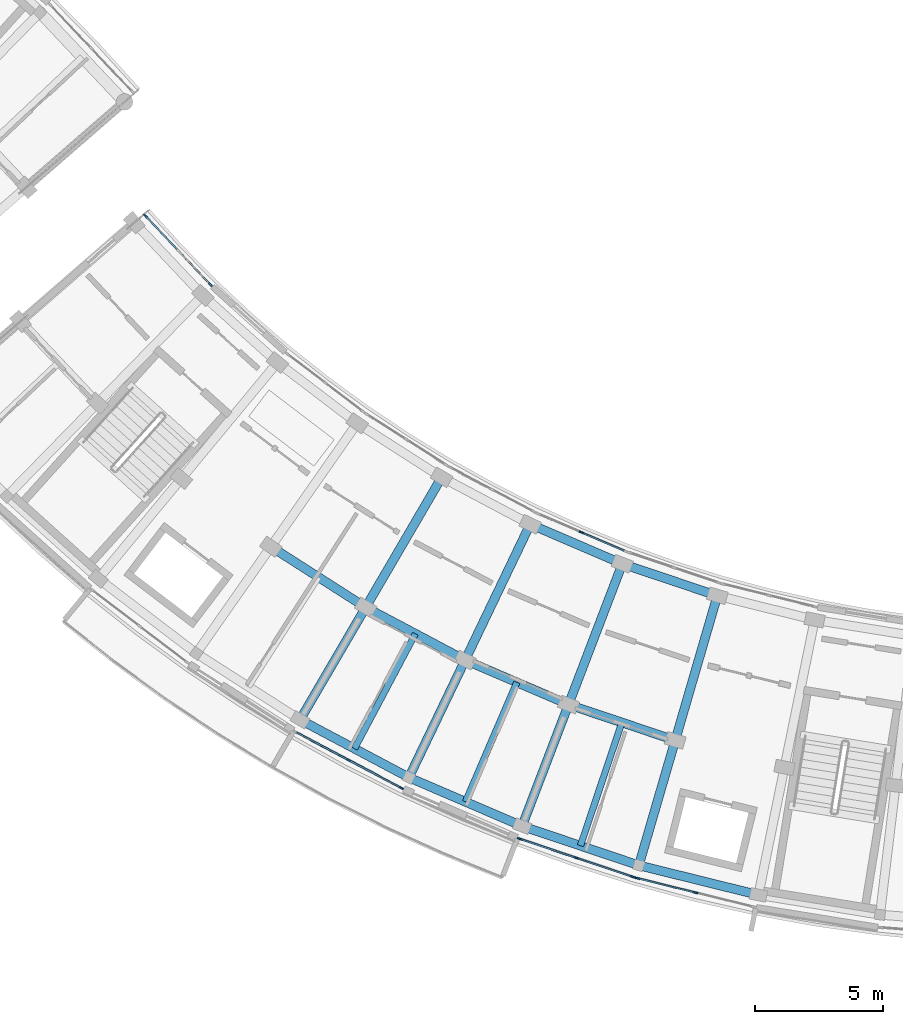
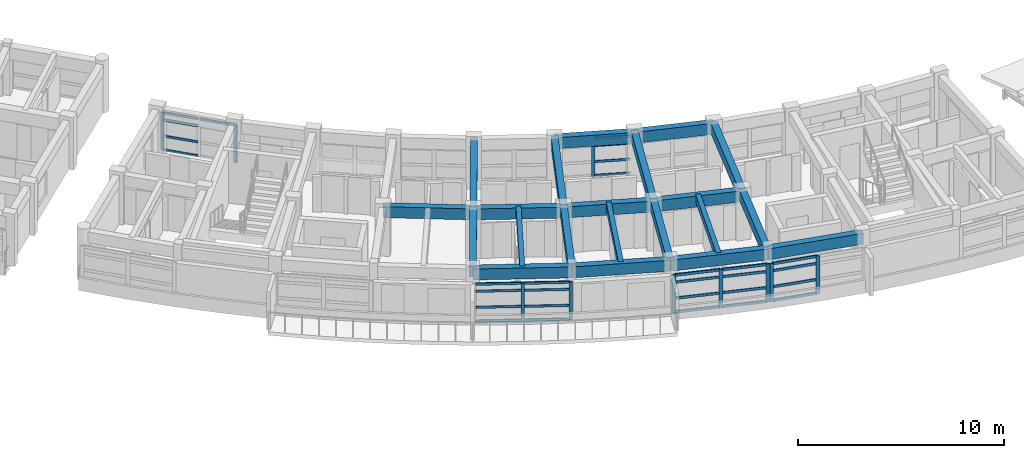
# One storey, part 16 of 50: 39 members, 21 beams, 5 elements without a shape of their own.
"""IFC4 building model written with IfcOpenShell, lengths in metres."""

from ifc_helpers import new_model, si_unit, direction, frame, origin, origin_2d, place, context, subcontext, project, spatial, rectangle, extrude, material, material_profile, profile_set, type_object, element, aggregate, save


model = new_model("IFC4")

# Units and contexts
model_context = context("Model", 3, precision=1e-05, world=origin(), true_north=direction((0.0, 1.0)))
body_context = subcontext(model_context, "Body", "Model", "MODEL_VIEW")
ifc_project = project(units=[si_unit("LENGTHUNIT", "METRE"), si_unit("AREAUNIT", "SQUARE_METRE"), si_unit("VOLUMEUNIT", "CUBIC_METRE"), si_unit("PLANEANGLEUNIT", "RADIAN"), si_unit("MASSUNIT", "GRAM", prefix="KILO")], contexts=[model_context])

# Site, building, storey
site_placement = place(None, origin())
site = spatial("IfcSite", under=ifc_project, at=site_placement, CompositionType="ELEMENT")
building_placement = place(site_placement, origin())
building = spatial("IfcBuilding", under=site, at=building_placement, Name="Zimvara Arc Housing Community", CompositionType="ELEMENT")
storey_placement = place(building_placement, frame((0.0, 0.0, 26.699951171875)))
storey = spatial("IfcBuildingStorey", under=building, at=storey_placement, Name="L08", CompositionType="ELEMENT", Elevation=26.699951171875)

# Beams
ifc_material_1 = material(Name="Concrete C40/50", Category="concrete")
ifc_material_profile_1 = material_profile(ifc_material_1, rectangle(XDim=0.25, YDim=0.449951171875, at=origin_2d()), Name="RC 250x450")
ifc_profile_set_1 = profile_set([ifc_material_profile_1], Name="Concrete C40/50")
beam_type_1 = type_object("IfcBeamType", Name="BM-RC-250x450", PredefinedType="JOIST", material=ifc_profile_set_1)
for number, where, z_axis, x_axis, name in (
    (1, (100.793212890625, 62.37060546875, 2.655029296875), (-0.46853732736, -0.883443701019, 0.0), (0.883443701019, -0.46853732736, 0.0), "bm:blkC:L08:joist:b4"),
    (2, (104.751953125, 60.473876953125, 2.655029296875), (-0.394946561353, -0.918704094731, 0.0), (0.918704094731, -0.394946561353, 0.0), "bm:blkC:L08:joist:b5"),
    (3, (108.85205078125, 58.906494140625, 2.655029296875), (-0.318622196545, -0.947881794249, 0.0), (0.947881794249, -0.318622196545, 0.0), "bm:blkC:L08:joist:b6"),
):
    element("IfcBeam", number, at=place(storey_placement, frame(where, z_axis=z_axis, x_axis=x_axis)), inside=storey, type_object=beam_type_1, Name=name, PredefinedType="JOIST", context=body_context, shape_type="SweptSolid", body=[
        extrude(rectangle(XDim=0.25, YDim=0.449951171875, at=origin_2d()), origin(), (0.0, 0.0, 1.0), 5.07568359375),
    ])
ifc_material_2 = material(Name="Concrete C40/50", Category="concrete")
ifc_material_profile_2 = material_profile(ifc_material_2, rectangle(XDim=0.35009765625, YDim=0.60009765625, at=origin_2d()), Name="RC 350x600")
ifc_profile_set_2 = profile_set([ifc_material_profile_2], Name="Concrete C40/50")
beam_type_2 = type_object("IfcBeamType", Name="BM-RC-350x600", PredefinedType="BEAM", material=ifc_profile_set_2)
beam_1_placement = place(storey_placement, frame((101.8173828125, 68.4775390625, 2.580078125), z_axis=(-0.504237574462, -0.863564976421, 0.0), x_axis=(0.863564976421, -0.504237574462, 0.0)))
element("IfcBeam", 4, at=beam_1_placement, inside=storey, type_object=beam_type_2, Name="bm:blkC:L08:rad:b4:r12", PredefinedType="BEAM", context=body_context, shape_type="SweptSolid", body=[
    extrude(rectangle(XDim=0.35009765625, YDim=0.60009765625, at=origin_2d()), origin(), (0.0, 0.0, 1.0), 5.8798828125),
])
beam_2_placement = place(storey_placement, frame((98.8525390625, 63.39990234375, 2.580078125), z_axis=(-0.504196701544, -0.863588840915, 0.0), x_axis=(0.863588840915, -0.504196701544, 0.0)))
element("IfcBeam", 5, at=beam_2_placement, inside=storey, type_object=beam_type_2, Name="bm:blkC:L08:rad:b4:r23", PredefinedType="BEAM", context=body_context, shape_type="SweptSolid", body=[
    extrude(rectangle(XDim=0.35009765625, YDim=0.60009765625, at=origin_2d()), origin(), (0.0, 0.0, 1.0), 5.079833984375),
])
beam_3_placement = place(storey_placement, frame((105.2744140625, 66.644287109375, 2.580078125), z_axis=(-0.432053349188, -0.901848048983, 0.0), x_axis=(0.901848048983, -0.432053349188, 0.0)))
element("IfcBeam", 6, at=beam_3_placement, inside=storey, type_object=beam_type_2, Name="bm:blkC:L08:rad:b5:r12", PredefinedType="BEAM", context=body_context, shape_type="SweptSolid", body=[
    extrude(rectangle(XDim=0.35009765625, YDim=0.60009765625, at=origin_2d()), origin(), (0.0, 0.0, 1.0), 5.880126953125),
])
beam_4_placement = place(storey_placement, frame((102.73388671875, 61.34130859375, 2.580078125), z_axis=(-0.432098194978, -0.901826563091, 0.0), x_axis=(0.901826563091, -0.432098194978, 0.0)))
element("IfcBeam", 7, at=beam_4_placement, inside=storey, type_object=beam_type_2, Name="bm:blkC:L08:rad:b5:r23", PredefinedType="BEAM", context=body_context, shape_type="SweptSolid", body=[
    extrude(rectangle(XDim=0.35009765625, YDim=0.60009765625, at=origin_2d()), origin(), (0.0, 0.0, 1.0), 5.080078125),
])
beam_5_placement = place(storey_placement, frame((108.869384765625, 65.098876953125, 2.580078125), z_axis=(-0.357036247742, -0.934090529766, 0.0), x_axis=(0.934090529766, -0.357036247742, 0.0)))
element("IfcBeam", 8, at=beam_5_placement, inside=storey, type_object=beam_type_2, Name="bm:blkC:L08:rad:b6:r12", PredefinedType="BEAM", context=body_context, shape_type="SweptSolid", body=[
    extrude(rectangle(XDim=0.35009765625, YDim=0.60009765625, at=origin_2d()), origin(), (0.0, 0.0, 1.0), 5.8798828125),
])
beam_6_placement = place(storey_placement, frame((106.77001953125, 59.6064453125, 2.580078125), z_axis=(-0.357078271386, -0.934074466038, 0.0), x_axis=(0.934074466038, -0.357078271386, 0.0)))
element("IfcBeam", 9, at=beam_6_placement, inside=storey, type_object=beam_type_2, Name="bm:blkC:L08:rad:b6:r23", PredefinedType="BEAM", context=body_context, shape_type="SweptSolid", body=[
    extrude(rectangle(XDim=0.35009765625, YDim=0.60009765625, at=origin_2d()), origin(), (0.0, 0.0, 1.0), 5.080078125),
])
beam_7_placement = place(storey_placement, frame((112.57861328125, 63.85205078125, 2.580078125), z_axis=(-0.27964761269, -0.960102709462, 0.0), x_axis=(0.960102709462, -0.27964761269, 0.0)))
element("IfcBeam", 10, at=beam_7_placement, inside=storey, type_object=beam_type_2, Name="bm:blkC:L08:rad:b7:r12", PredefinedType="BEAM", context=body_context, shape_type="SweptSolid", body=[
    extrude(rectangle(XDim=0.35009765625, YDim=0.60009765625, at=origin_2d()), origin(), (0.0, 0.0, 1.0), 5.8798828125),
])
beam_8_placement = place(storey_placement, frame((110.934326171875, 58.206787109375, 2.580078125), z_axis=(-0.279693649113, -0.960089299308, 0.0), x_axis=(0.960089299308, -0.279693649113, 0.0)))
element("IfcBeam", 11, at=beam_8_placement, inside=storey, type_object=beam_type_2, Name="bm:blkC:L08:rad:b7:r23", PredefinedType="BEAM", context=body_context, shape_type="SweptSolid", body=[
    extrude(rectangle(XDim=0.35009765625, YDim=0.60009765625, at=origin_2d()), origin(), (0.0, 0.0, 1.0), 5.080078125),
])
ifc_material_3 = material(Name="Concrete C40/50", Category="concrete")
ifc_material_profile_3 = material_profile(ifc_material_3, rectangle(XDim=0.35009765625, YDim=0.64990234375, at=origin_2d()), Name="RC 350x650")
ifc_profile_set_3 = profile_set([ifc_material_profile_3], Name="Concrete C40/50")
beam_type_3 = type_object("IfcBeamType", Name="BM-RC-350x650", PredefinedType="BEAM", material=ifc_profile_set_3)
for number, where, z_axis, x_axis, name in (
    (12, (105.2744140625, 66.644287109375, 2.554931640625), (0.918708805961, -0.394935602155, 0.0), (0.394935602155, 0.918708805961, 0.0), "bm:blkC:L08:chord:r1:b5"),
    (13, (108.869384765625, 65.098876953125, 2.554931640625), (0.947881689069, -0.31862250945, 0.0), (0.31862250945, 0.947881689069, 0.0), "bm:blkC:L08:chord:r1:b6"),
):
    element("IfcBeam", number, at=place(storey_placement, frame(where, z_axis=z_axis, x_axis=x_axis)), inside=storey, type_object=beam_type_3, Name=name, PredefinedType="BEAM", context=body_context, shape_type="SweptSolid", body=[
        extrude(rectangle(XDim=0.35009765625, YDim=0.64990234375, at=origin_2d()), origin(), (0.0, 0.0, 1.0), 3.9130859375),
    ])
beam_9_placement = place(storey_placement, frame((95.15234375, 65.76806640625, 2.554931640625), z_axis=(0.842267363538, -0.539060004376, 0.0), x_axis=(0.539060004376, 0.842267363538, 0.0)))
element("IfcBeam", 14, at=beam_9_placement, inside=storey, type_object=beam_type_3, Name="bm:blkC:L08:chord:r2:b3", PredefinedType="BEAM", context=body_context, shape_type="SweptSolid", body=[
    extrude(rectangle(XDim=0.35009765625, YDim=0.64990234375, at=origin_2d()), origin(), (0.0, 0.0, 1.0), 4.39306640625),
])
beam_10_placement = place(storey_placement, frame((98.8525390625, 63.39990234375, 2.554931640625), z_axis=(0.883433524437, -0.468556515162, 0.0), x_axis=(0.468556515162, 0.883433524437, 0.0)))
element("IfcBeam", 15, at=beam_10_placement, inside=storey, type_object=beam_type_3, Name="bm:blkC:L08:chord:r2:b4", PredefinedType="BEAM", context=body_context, shape_type="SweptSolid", body=[
    extrude(rectangle(XDim=0.35009765625, YDim=0.64990234375, at=origin_2d()), origin(), (0.0, 0.0, 1.0), 4.3935546875),
])
for number, where, z_axis, x_axis, name in (
    (16, (102.73388671875, 61.34130859375, 2.554931640625), (0.918724840088, -0.394898301093, 0.0), (0.394898301093, 0.918724840088, 0.0), "bm:blkC:L08:chord:r2:b5"),
    (17, (106.77001953125, 59.6064453125, 2.554931640625), (0.947891222174, -0.318594147665, 0.0), (0.318594147665, 0.947891222174, 0.0), "bm:blkC:L08:chord:r2:b6"),
):
    element("IfcBeam", number, at=place(storey_placement, frame(where, z_axis=z_axis, x_axis=x_axis)), inside=storey, type_object=beam_type_3, Name=name, PredefinedType="BEAM", context=body_context, shape_type="SweptSolid", body=[
        extrude(rectangle(XDim=0.35009765625, YDim=0.64990234375, at=origin_2d()), origin(), (0.0, 0.0, 1.0), 4.393310546875),
    ])
for number, where, z_axis, x_axis, name in (
    (18, (96.291259765625, 59.012939453125, 2.554931640625), (0.883424523434, -0.468573485587, 0.0), (0.468573485587, 0.883424523434, 0.0), "bm:blkC:L08:chord:r3:b4"),
    (19, (100.538818359375, 56.760009765625, 2.554931640625), (0.918724276228, -0.394899612901, 0.0), (0.394899612901, 0.918724276228, 0.0), "bm:blkC:L08:chord:r3:b5"),
):
    element("IfcBeam", number, at=place(storey_placement, frame(where, z_axis=z_axis, x_axis=x_axis)), inside=storey, type_object=beam_type_3, Name=name, PredefinedType="BEAM", context=body_context, shape_type="SweptSolid", body=[
        extrude(rectangle(XDim=0.35009765625, YDim=0.64990234375, at=origin_2d()), origin(), (0.0, 0.0, 1.0), 4.80810546875),
    ])
beam_11_placement = place(storey_placement, frame((104.9560546875, 54.861328125, 2.554931640625), z_axis=(0.947877948153, -0.31863363822, 0.0), x_axis=(0.31863363822, 0.947877948153, 0.0)))
element("IfcBeam", 20, at=beam_11_placement, inside=storey, type_object=beam_type_3, Name="bm:blkC:L08:chord:r3:b6", PredefinedType="BEAM", context=body_context, shape_type="SweptSolid", body=[
    extrude(rectangle(XDim=0.35009765625, YDim=0.64990234375, at=origin_2d()), origin(), (0.0, 0.0, 1.0), 4.807861328125),
])
beam_12_placement = place(storey_placement, frame((109.513427734375, 53.329345703125, 2.554931640625), z_axis=(0.970719165502, -0.240217196986, 0.0), x_axis=(0.240217196986, 0.970719165502, 0.0)))
element("IfcBeam", 21, at=beam_12_placement, inside=storey, type_object=beam_type_3, Name="bm:blkC:L08:chord:r3:b7", PredefinedType="BEAM", context=body_context, shape_type="SweptSolid", body=[
    extrude(rectangle(XDim=0.35009765625, YDim=0.64990234375, at=origin_2d()), origin(), (0.0, 0.0, 1.0), 4.808349609375),
])

# Curtain wall, members
ifc_material_4 = material(Name="Anodised Aluminium AW-6063", Category="aluminium")
curtain_wall_type_1 = type_object("IfcCurtainWallType", Name="CW-SYS-08", PredefinedType="USERDEFINED", material=ifc_material_4)
curtain_wall_1_placement = place(storey_placement, origin())
curtain_wall_1 = element("IfcCurtainWall", 22, at=curtain_wall_1_placement, inside=storey, type_object=curtain_wall_type_1, Name="cw:blkC:L08:in:b0", ObjectType="CURTAIN WALL", PredefinedType="USERDEFINED")
ifc_material_5 = material(Name="Anodised Aluminium AW-6063", Category="aluminium")
ifc_material_profile_4 = material_profile(ifc_material_5, rectangle(XDim=0.06494140625, YDim=0.179931640625, at=origin_2d()), Name="ALU 65x180")
ifc_profile_set_4 = profile_set([ifc_material_profile_4], Name="Anodised Aluminium AW-6063")
member_type_1 = type_object("IfcMemberType", Name="CWM-65x150", PredefinedType="MULLION", material=ifc_profile_set_4)
member_1_placement = place(storey_placement, frame((90.255126953125, 78.682373046875, 0.0), z_axis=(0.0, 0.0, 1.0), x_axis=(0.727293723669, 0.686326336018, 0.0)))
member_1 = element("IfcMember", 23, at=member_1_placement, type_object=member_type_1, Name="CW08 mullion 1", PredefinedType="MULLION", context=body_context, shape_type="SweptSolid", body=[
    extrude(rectangle(XDim=0.06494140625, YDim=0.179931640625, at=origin_2d()), origin(), (0.0, 0.0, 1.0), 2.25),
])
member_2_placement = place(storey_placement, frame((92.785888671875, 76.000732421875, 0.0), z_axis=(0.0, 0.0, 1.0), x_axis=(0.727293723669, 0.686326336018, 0.0)))
member_2 = element("IfcMember", 24, at=member_2_placement, type_object=member_type_1, Name="CW08 mullion 3", PredefinedType="MULLION", context=body_context, shape_type="SweptSolid", body=[
    extrude(rectangle(XDim=0.06494140625, YDim=0.179931640625, at=origin_2d()), origin(), (0.0, 0.0, 1.0), 2.25),
])

ifc_material_6 = material(Name="Anodised Aluminium AW-6063", Category="aluminium")
curtain_wall_type_2 = type_object("IfcCurtainWallType", Name="CW-SYS-04", PredefinedType="USERDEFINED", material=ifc_material_6)
curtain_wall_2_placement = place(storey_placement, origin())
curtain_wall_2 = element("IfcCurtainWall", 25, at=curtain_wall_2_placement, inside=storey, type_object=curtain_wall_type_2, Name="cw:blkC:L08:out:b4", ObjectType="CURTAIN WALL", PredefinedType="USERDEFINED")
member_3_placement = place(storey_placement, frame((98.180908203125, 57.445068359375, 0.0), z_axis=(0.0, 0.0, 1.0), x_axis=(0.468546917761, 0.883438614651, 0.0)))
member_3 = element("IfcMember", 26, at=member_3_placement, type_object=member_type_1, Name="CW04 mullion 2", PredefinedType="MULLION", context=body_context, shape_type="SweptSolid", body=[
    extrude(rectangle(XDim=0.06494140625, YDim=0.179931640625, at=origin_2d()), origin(), (0.0, 0.0, 1.0), 2.25),
])
member_4_placement = place(storey_placement, frame((100.240966796875, 56.3525390625, 0.0), z_axis=(0.0, 0.0, 1.0), x_axis=(0.468546917761, 0.883438614651, 0.0)))
member_4 = element("IfcMember", 27, at=member_4_placement, type_object=member_type_1, Name="CW04 mullion 3", PredefinedType="MULLION", context=body_context, shape_type="SweptSolid", body=[
    extrude(rectangle(XDim=0.06494140625, YDim=0.179931640625, at=origin_2d()), origin(), (0.0, 0.0, 1.0), 2.25),
])

# Curtain wall, member
ifc_material_7 = material(Name="Anodised Aluminium AW-6063", Category="aluminium")
curtain_wall_type_3 = type_object("IfcCurtainWallType", Name="CW-SYS-06", PredefinedType="USERDEFINED", material=ifc_material_7)
curtain_wall_3_placement = place(storey_placement, origin())
curtain_wall_3 = element("IfcCurtainWall", 28, at=curtain_wall_3_placement, inside=storey, type_object=curtain_wall_type_3, Name="cw:blkC:L08:in:b5", ObjectType="CURTAIN WALL", PredefinedType="USERDEFINED")
member_5_placement = place(storey_placement, frame((107.269287109375, 66.33056640625, 0.0), z_axis=(0.0, 0.0, 1.0), x_axis=(0.394903951674, 0.918722411261, 0.0)))
member_5 = element("IfcMember", 29, at=member_5_placement, type_object=member_type_1, Name="CW06 mullion 2", PredefinedType="MULLION", context=body_context, shape_type="SweptSolid", body=[
    extrude(rectangle(XDim=0.06494140625, YDim=0.179931640625, at=origin_2d()), origin(), (0.0, 0.0, 1.0), 2.25),
])

# Curtain wall, members
ifc_material_8 = material(Name="Anodised Aluminium AW-6063", Category="aluminium")
curtain_wall_type_4 = type_object("IfcCurtainWallType", Name="CW-SYS-07", PredefinedType="USERDEFINED", material=ifc_material_8)
curtain_wall_4_placement = place(storey_placement, origin())
curtain_wall_4 = element("IfcCurtainWall", 30, at=curtain_wall_4_placement, inside=storey, type_object=curtain_wall_type_4, Name="cw:blkC:L08:out:b6", ObjectType="CURTAIN WALL", PredefinedType="USERDEFINED")
ifc_material_9 = material(Name="Anodised Aluminium AW-6063", Category="aluminium")
ifc_material_profile_5 = material_profile(ifc_material_9, rectangle(XDim=0.06494140625, YDim=0.195068359375, at=origin_2d()), Name="ALU 65x195")
ifc_profile_set_5 = profile_set([ifc_material_profile_5], Name="Anodised Aluminium AW-6063")
member_type_2 = type_object("IfcMemberType", Name="CWM-65x180", PredefinedType="MULLION", material=ifc_profile_set_5)
member_6_placement = place(storey_placement, frame((104.865234375, 54.36474609375, 0.0), z_axis=(0.0, 0.0, 1.0), x_axis=(0.318628583921, 0.947879647164, 0.0)))
member_6 = element("IfcMember", 31, at=member_6_placement, type_object=member_type_2, Name="CW07 mullion 1", PredefinedType="MULLION", context=body_context, shape_type="SweptSolid", body=[
    extrude(rectangle(XDim=0.06494140625, YDim=0.195068359375, at=origin_2d()), origin(), (0.0, 0.0, 1.0), 2.25),
])
member_7_placement = place(storey_placement, frame((107.07568359375, 53.621826171875, 0.0), z_axis=(0.0, 0.0, 1.0), x_axis=(0.318628583921, 0.947879647164, 0.0)))
member_7 = element("IfcMember", 32, at=member_7_placement, type_object=member_type_2, Name="CW07 mullion 2", PredefinedType="MULLION", context=body_context, shape_type="SweptSolid", body=[
    extrude(rectangle(XDim=0.06494140625, YDim=0.195068359375, at=origin_2d()), origin(), (0.0, 0.0, 1.0), 2.25),
])
member_8_placement = place(storey_placement, frame((109.2861328125, 52.87890625, 0.0), z_axis=(0.0, 0.0, 1.0), x_axis=(0.318628583921, 0.947879647164, 0.0)))
member_8 = element("IfcMember", 33, at=member_8_placement, type_object=member_type_2, Name="CW07 mullion 3", PredefinedType="MULLION", context=body_context, shape_type="SweptSolid", body=[
    extrude(rectangle(XDim=0.06494140625, YDim=0.195068359375, at=origin_2d()), origin(), (0.0, 0.0, 1.0), 2.25),
])

ifc_material_10 = material(Name="Anodised Aluminium AW-6063", Category="aluminium")
curtain_wall_type_5 = type_object("IfcCurtainWallType", Name="CW-SYS-01", PredefinedType="USERDEFINED", material=ifc_material_10)
curtain_wall_5_placement = place(storey_placement, origin())
curtain_wall_5 = element("IfcCurtainWall", 34, at=curtain_wall_5_placement, inside=storey, type_object=curtain_wall_type_5, Name="cw:blkC:L08:out:b7", ObjectType="CURTAIN WALL", PredefinedType="USERDEFINED")
member_9_placement = place(storey_placement, frame((109.46337890625, 52.8271484375, 0.0), z_axis=(0.0, 0.0, 1.0), x_axis=(0.240229711131, 0.970716068627, 0.0)))
member_9 = element("IfcMember", 35, at=member_9_placement, type_object=member_type_2, Name="CW01 mullion 1", PredefinedType="MULLION", context=body_context, shape_type="SweptSolid", body=[
    extrude(rectangle(XDim=0.06494140625, YDim=0.195068359375, at=origin_2d()), origin(), (0.0, 0.0, 1.0), 2.25),
])
member_10_placement = place(storey_placement, frame((111.72705078125, 52.266845703125, 0.0), z_axis=(0.0, 0.0, 1.0), x_axis=(0.240229711131, 0.970716068627, 0.0)))
member_10 = element("IfcMember", 36, at=member_10_placement, type_object=member_type_2, Name="CW01 mullion 2", PredefinedType="MULLION", context=body_context, shape_type="SweptSolid", body=[
    extrude(rectangle(XDim=0.06494140625, YDim=0.195068359375, at=origin_2d()), origin(), (0.0, 0.0, 1.0), 2.25),
])

# Member
ifc_material_11 = material(Name="Anodised Aluminium AW-6063", Category="aluminium")
ifc_material_profile_6 = material_profile(ifc_material_11, rectangle(XDim=0.06494140625, YDim=0.139892578125, at=origin_2d()), Name="ALU 65x140")
ifc_profile_set_6 = profile_set([ifc_material_profile_6], Name="Anodised Aluminium AW-6063")
member_type_3 = type_object("IfcMemberType", Name="CWT-65x120", PredefinedType="USERDEFINED", material=ifc_profile_set_6)
member_11_placement = place(storey_placement, frame((90.27734375, 78.65869140625, 0.032470703125), z_axis=(0.686430047978, -0.72719583967, 0.0), x_axis=(0.72719583967, 0.686430047978, 0.0)))
member_11 = element("IfcMember", 37, at=member_11_placement, type_object=member_type_3, Name="CW08 transom 1.1", ObjectType="TRANSOM", PredefinedType="USERDEFINED", context=body_context, shape_type="SweptSolid", body=[
    extrude(rectangle(XDim=0.06494140625, YDim=0.139892578125, at=origin_2d()), origin(), (0.0, 0.0, 1.0), 1.77880859375),
])

member_12_placement = place(storey_placement, frame((90.27734375, 78.65869140625, 0.85009765625), z_axis=(0.686430047978, -0.72719583967, 0.0), x_axis=(0.72719583967, 0.686430047978, 0.0)))
member_12 = element("IfcMember", 38, at=member_12_placement, type_object=member_type_3, Name="CW08 transom 1.2", ObjectType="TRANSOM", PredefinedType="USERDEFINED", context=body_context, shape_type="SweptSolid", body=[
    extrude(rectangle(XDim=0.06494140625, YDim=0.139892578125, at=origin_2d()), origin(), (0.0, 0.0, 1.0), 1.77880859375),
])

member_13_placement = place(storey_placement, frame((90.27734375, 78.65869140625, 1.800048828125), z_axis=(0.686430047978, -0.72719583967, 0.0), x_axis=(0.72719583967, 0.686430047978, 0.0)))
member_13 = element("IfcMember", 39, at=member_13_placement, type_object=member_type_3, Name="CW08 transom 1.3", ObjectType="TRANSOM", PredefinedType="USERDEFINED", context=body_context, shape_type="SweptSolid", body=[
    extrude(rectangle(XDim=0.06494140625, YDim=0.139892578125, at=origin_2d()), origin(), (0.0, 0.0, 1.0), 1.77880859375),
])

member_14_placement = place(storey_placement, frame((90.27734375, 78.65869140625, 2.217529296875), z_axis=(0.686430047978, -0.72719583967, 0.0), x_axis=(0.72719583967, 0.686430047978, 0.0)))
member_14 = element("IfcMember", 40, at=member_14_placement, type_object=member_type_3, Name="CW08 transom 1.4", ObjectType="TRANSOM", PredefinedType="USERDEFINED", context=body_context, shape_type="SweptSolid", body=[
    extrude(rectangle(XDim=0.06494140625, YDim=0.139892578125, at=origin_2d()), origin(), (0.0, 0.0, 1.0), 1.77880859375),
])

member_15_placement = place(storey_placement, frame((91.542724609375, 77.31787109375, 2.217529296875), z_axis=(0.686357453501, -0.72726435773, 0.0), x_axis=(0.72726435773, 0.686357453501, 0.0)))
member_15 = element("IfcMember", 41, at=member_15_placement, type_object=member_type_3, Name="CW08 transom 2.4", ObjectType="TRANSOM", PredefinedType="USERDEFINED", context=body_context, shape_type="SweptSolid", body=[
    extrude(rectangle(XDim=0.06494140625, YDim=0.139892578125, at=origin_2d()), origin(), (0.0, 0.0, 1.0), 1.778564453125),
])

aggregate(curtain_wall_1, [member_1, member_2, member_11, member_12, member_13, member_14, member_15])

member_16_placement = place(storey_placement, frame((96.1494140625, 58.5224609375, 0.032470703125), z_axis=(0.883465479137, -0.468496261642, 0.0), x_axis=(0.468496261642, 0.883465479137, 0.0)))
member_16 = element("IfcMember", 42, at=member_16_placement, type_object=member_type_3, Name="CW04 transom 1.1", ObjectType="TRANSOM", PredefinedType="USERDEFINED", context=body_context, shape_type="SweptSolid", body=[
    extrude(rectangle(XDim=0.06494140625, YDim=0.139892578125, at=origin_2d()), origin(), (0.0, 0.0, 1.0), 2.266845703125),
])

member_17_placement = place(storey_placement, frame((96.1494140625, 58.5224609375, 0.85009765625), z_axis=(0.883465479137, -0.468496261642, 0.0), x_axis=(0.468496261642, 0.883465479137, 0.0)))
member_17 = element("IfcMember", 43, at=member_17_placement, type_object=member_type_3, Name="CW04 transom 1.2", ObjectType="TRANSOM", PredefinedType="USERDEFINED", context=body_context, shape_type="SweptSolid", body=[
    extrude(rectangle(XDim=0.06494140625, YDim=0.139892578125, at=origin_2d()), origin(), (0.0, 0.0, 1.0), 2.266845703125),
])

member_18_placement = place(storey_placement, frame((96.1494140625, 58.5224609375, 1.800048828125), z_axis=(0.883465479137, -0.468496261642, 0.0), x_axis=(0.468496261642, 0.883465479137, 0.0)))
member_18 = element("IfcMember", 44, at=member_18_placement, type_object=member_type_3, Name="CW04 transom 1.3", ObjectType="TRANSOM", PredefinedType="USERDEFINED", context=body_context, shape_type="SweptSolid", body=[
    extrude(rectangle(XDim=0.06494140625, YDim=0.139892578125, at=origin_2d()), origin(), (0.0, 0.0, 1.0), 2.266845703125),
])

member_19_placement = place(storey_placement, frame((96.1494140625, 58.5224609375, 2.217529296875), z_axis=(0.883465479137, -0.468496261642, 0.0), x_axis=(0.468496261642, 0.883465479137, 0.0)))
member_19 = element("IfcMember", 45, at=member_19_placement, type_object=member_type_3, Name="CW04 transom 1.4", ObjectType="TRANSOM", PredefinedType="USERDEFINED", context=body_context, shape_type="SweptSolid", body=[
    extrude(rectangle(XDim=0.06494140625, YDim=0.139892578125, at=origin_2d()), origin(), (0.0, 0.0, 1.0), 2.266845703125),
])

member_20_placement = place(storey_placement, frame((98.209716796875, 57.429931640625, 0.032470703125), z_axis=(0.883420900208, -0.468580316568, 0.0), x_axis=(0.468580316568, 0.883420900208, 0.0)))
member_20 = element("IfcMember", 46, at=member_20_placement, type_object=member_type_3, Name="CW04 transom 2.1", ObjectType="TRANSOM", PredefinedType="USERDEFINED", context=body_context, shape_type="SweptSolid", body=[
    extrude(rectangle(XDim=0.06494140625, YDim=0.139892578125, at=origin_2d()), origin(), (0.0, 0.0, 1.0), 2.266845703125),
])

member_21_placement = place(storey_placement, frame((98.209716796875, 57.429931640625, 0.85009765625), z_axis=(0.883420900208, -0.468580316568, 0.0), x_axis=(0.468580316568, 0.883420900208, 0.0)))
member_21 = element("IfcMember", 47, at=member_21_placement, type_object=member_type_3, Name="CW04 transom 2.2", ObjectType="TRANSOM", PredefinedType="USERDEFINED", context=body_context, shape_type="SweptSolid", body=[
    extrude(rectangle(XDim=0.06494140625, YDim=0.139892578125, at=origin_2d()), origin(), (0.0, 0.0, 1.0), 2.266845703125),
])

member_22_placement = place(storey_placement, frame((98.209716796875, 57.429931640625, 1.800048828125), z_axis=(0.883420900208, -0.468580316568, 0.0), x_axis=(0.468580316568, 0.883420900208, 0.0)))
member_22 = element("IfcMember", 48, at=member_22_placement, type_object=member_type_3, Name="CW04 transom 2.3", ObjectType="TRANSOM", PredefinedType="USERDEFINED", context=body_context, shape_type="SweptSolid", body=[
    extrude(rectangle(XDim=0.06494140625, YDim=0.139892578125, at=origin_2d()), origin(), (0.0, 0.0, 1.0), 2.266845703125),
])

member_23_placement = place(storey_placement, frame((98.209716796875, 57.429931640625, 2.217529296875), z_axis=(0.883420900208, -0.468580316568, 0.0), x_axis=(0.468580316568, 0.883420900208, 0.0)))
member_23 = element("IfcMember", 49, at=member_23_placement, type_object=member_type_3, Name="CW04 transom 2.4", ObjectType="TRANSOM", PredefinedType="USERDEFINED", context=body_context, shape_type="SweptSolid", body=[
    extrude(rectangle(XDim=0.06494140625, YDim=0.139892578125, at=origin_2d()), origin(), (0.0, 0.0, 1.0), 2.266845703125),
])

aggregate(curtain_wall_2, [member_3, member_4, member_16, member_17, member_18, member_19, member_20, member_21, member_22, member_23])

member_24_placement = place(storey_placement, frame((107.299072265625, 66.317626953125, 0.032470703125), z_axis=(0.918718495938, -0.394913060334, 0.0), x_axis=(0.394913060334, 0.918718495938, 0.0)))
member_24 = element("IfcMember", 50, at=member_24_placement, type_object=member_type_3, Name="CW06 transom 2.1", ObjectType="TRANSOM", PredefinedType="USERDEFINED", context=body_context, shape_type="SweptSolid", body=[
    extrude(rectangle(XDim=0.06494140625, YDim=0.139892578125, at=origin_2d()), origin(), (0.0, 0.0, 1.0), 1.778564453125),
])

member_25_placement = place(storey_placement, frame((107.299072265625, 66.317626953125, 0.85009765625), z_axis=(0.918718495938, -0.394913060334, 0.0), x_axis=(0.394913060334, 0.918718495938, 0.0)))
member_25 = element("IfcMember", 51, at=member_25_placement, type_object=member_type_3, Name="CW06 transom 2.2", ObjectType="TRANSOM", PredefinedType="USERDEFINED", context=body_context, shape_type="SweptSolid", body=[
    extrude(rectangle(XDim=0.06494140625, YDim=0.139892578125, at=origin_2d()), origin(), (0.0, 0.0, 1.0), 1.778564453125),
])

member_26_placement = place(storey_placement, frame((107.299072265625, 66.317626953125, 1.800048828125), z_axis=(0.918718495938, -0.394913060334, 0.0), x_axis=(0.394913060334, 0.918718495938, 0.0)))
member_26 = element("IfcMember", 52, at=member_26_placement, type_object=member_type_3, Name="CW06 transom 2.3", ObjectType="TRANSOM", PredefinedType="USERDEFINED", context=body_context, shape_type="SweptSolid", body=[
    extrude(rectangle(XDim=0.06494140625, YDim=0.139892578125, at=origin_2d()), origin(), (0.0, 0.0, 1.0), 1.778564453125),
])

member_27_placement = place(storey_placement, frame((107.299072265625, 66.317626953125, 2.217529296875), z_axis=(0.918718495938, -0.394913060334, 0.0), x_axis=(0.394913060334, 0.918718495938, 0.0)))
member_27 = element("IfcMember", 53, at=member_27_placement, type_object=member_type_3, Name="CW06 transom 2.4", ObjectType="TRANSOM", PredefinedType="USERDEFINED", context=body_context, shape_type="SweptSolid", body=[
    extrude(rectangle(XDim=0.06494140625, YDim=0.139892578125, at=origin_2d()), origin(), (0.0, 0.0, 1.0), 1.778564453125),
])

aggregate(curtain_wall_3, [member_5, member_24, member_25, member_26, member_27])

ifc_material_12 = material(Name="Anodised Aluminium AW-6063", Category="aluminium")
ifc_material_profile_7 = material_profile(ifc_material_12, rectangle(XDim=0.06494140625, YDim=0.155029296875, at=origin_2d()), Name="ALU 65x155")
ifc_profile_set_7 = profile_set([ifc_material_profile_7], Name="Anodised Aluminium AW-6063")
member_type_4 = type_object("IfcMemberType", Name="CWT-65x140", PredefinedType="USERDEFINED", material=ifc_profile_set_7)
member_28_placement = place(storey_placement, frame((104.89599609375, 54.3544921875, 0.032470703125), z_axis=(0.947872541471, -0.318649721678, 0.0), x_axis=(0.318649721678, 0.947872541471, 0.0)))
member_28 = element("IfcMember", 54, at=member_28_placement, type_object=member_type_4, Name="CW07 transom 1.1", ObjectType="TRANSOM", PredefinedType="USERDEFINED", context=body_context, shape_type="SweptSolid", body=[
    extrude(rectangle(XDim=0.06494140625, YDim=0.155029296875, at=origin_2d()), origin(), (0.0, 0.0, 1.0), 2.26708984375),
])

member_29_placement = place(storey_placement, frame((104.89599609375, 54.3544921875, 0.85009765625), z_axis=(0.947872541471, -0.318649721678, 0.0), x_axis=(0.318649721678, 0.947872541471, 0.0)))
member_29 = element("IfcMember", 55, at=member_29_placement, type_object=member_type_4, Name="CW07 transom 1.2", ObjectType="TRANSOM", PredefinedType="USERDEFINED", context=body_context, shape_type="SweptSolid", body=[
    extrude(rectangle(XDim=0.06494140625, YDim=0.155029296875, at=origin_2d()), origin(), (0.0, 0.0, 1.0), 2.26708984375),
])

member_30_placement = place(storey_placement, frame((104.89599609375, 54.3544921875, 1.800048828125), z_axis=(0.947872541471, -0.318649721678, 0.0), x_axis=(0.318649721678, 0.947872541471, 0.0)))
member_30 = element("IfcMember", 56, at=member_30_placement, type_object=member_type_4, Name="CW07 transom 1.3", ObjectType="TRANSOM", PredefinedType="USERDEFINED", context=body_context, shape_type="SweptSolid", body=[
    extrude(rectangle(XDim=0.06494140625, YDim=0.155029296875, at=origin_2d()), origin(), (0.0, 0.0, 1.0), 2.26708984375),
])

member_31_placement = place(storey_placement, frame((104.89599609375, 54.3544921875, 2.217529296875), z_axis=(0.947872541471, -0.318649721678, 0.0), x_axis=(0.318649721678, 0.947872541471, 0.0)))
member_31 = element("IfcMember", 57, at=member_31_placement, type_object=member_type_4, Name="CW07 transom 1.4", ObjectType="TRANSOM", PredefinedType="USERDEFINED", context=body_context, shape_type="SweptSolid", body=[
    extrude(rectangle(XDim=0.06494140625, YDim=0.155029296875, at=origin_2d()), origin(), (0.0, 0.0, 1.0), 2.26708984375),
])

member_32_placement = place(storey_placement, frame((107.1064453125, 53.611572265625, 0.032470703125), z_axis=(0.947861605379, -0.318682250916, 0.0), x_axis=(0.318682250916, 0.947861605379, 0.0)))
member_32 = element("IfcMember", 58, at=member_32_placement, type_object=member_type_4, Name="CW07 transom 2.1", ObjectType="TRANSOM", PredefinedType="USERDEFINED", context=body_context, shape_type="SweptSolid", body=[
    extrude(rectangle(XDim=0.06494140625, YDim=0.155029296875, at=origin_2d()), origin(), (0.0, 0.0, 1.0), 2.266845703125),
])

member_33_placement = place(storey_placement, frame((107.1064453125, 53.611572265625, 0.85009765625), z_axis=(0.947861605379, -0.318682250916, 0.0), x_axis=(0.318682250916, 0.947861605379, 0.0)))
member_33 = element("IfcMember", 59, at=member_33_placement, type_object=member_type_4, Name="CW07 transom 2.2", ObjectType="TRANSOM", PredefinedType="USERDEFINED", context=body_context, shape_type="SweptSolid", body=[
    extrude(rectangle(XDim=0.06494140625, YDim=0.155029296875, at=origin_2d()), origin(), (0.0, 0.0, 1.0), 2.266845703125),
])

member_34_placement = place(storey_placement, frame((107.1064453125, 53.611572265625, 1.800048828125), z_axis=(0.947861605379, -0.318682250916, 0.0), x_axis=(0.318682250916, 0.947861605379, 0.0)))
member_34 = element("IfcMember", 60, at=member_34_placement, type_object=member_type_4, Name="CW07 transom 2.3", ObjectType="TRANSOM", PredefinedType="USERDEFINED", context=body_context, shape_type="SweptSolid", body=[
    extrude(rectangle(XDim=0.06494140625, YDim=0.155029296875, at=origin_2d()), origin(), (0.0, 0.0, 1.0), 2.266845703125),
])

member_35_placement = place(storey_placement, frame((107.1064453125, 53.611572265625, 2.217529296875), z_axis=(0.947861605379, -0.318682250916, 0.0), x_axis=(0.318682250916, 0.947861605379, 0.0)))
member_35 = element("IfcMember", 61, at=member_35_placement, type_object=member_type_4, Name="CW07 transom 2.4", ObjectType="TRANSOM", PredefinedType="USERDEFINED", context=body_context, shape_type="SweptSolid", body=[
    extrude(rectangle(XDim=0.06494140625, YDim=0.155029296875, at=origin_2d()), origin(), (0.0, 0.0, 1.0), 2.266845703125),
])

aggregate(curtain_wall_4, [member_6, member_7, member_8, member_28, member_29, member_30, member_31, member_32, member_33, member_34, member_35])

member_36_placement = place(storey_placement, frame((109.4951171875, 52.8193359375, 0.032470703125), z_axis=(0.970703721793, -0.240279596507, 0.0), x_axis=(0.240279596507, 0.970703721793, 0.0)))
member_36 = element("IfcMember", 62, at=member_36_placement, type_object=member_type_4, Name="CW01 transom 1.1", ObjectType="TRANSOM", PredefinedType="USERDEFINED", context=body_context, shape_type="SweptSolid", body=[
    extrude(rectangle(XDim=0.06494140625, YDim=0.155029296875, at=origin_2d()), origin(), (0.0, 0.0, 1.0), 2.266845703125),
])

member_37_placement = place(storey_placement, frame((109.4951171875, 52.8193359375, 0.85009765625), z_axis=(0.970703721793, -0.240279596507, 0.0), x_axis=(0.240279596507, 0.970703721793, 0.0)))
member_37 = element("IfcMember", 63, at=member_37_placement, type_object=member_type_4, Name="CW01 transom 1.2", ObjectType="TRANSOM", PredefinedType="USERDEFINED", context=body_context, shape_type="SweptSolid", body=[
    extrude(rectangle(XDim=0.06494140625, YDim=0.155029296875, at=origin_2d()), origin(), (0.0, 0.0, 1.0), 2.266845703125),
])

member_38_placement = place(storey_placement, frame((109.4951171875, 52.8193359375, 1.800048828125), z_axis=(0.970703721793, -0.240279596507, 0.0), x_axis=(0.240279596507, 0.970703721793, 0.0)))
member_38 = element("IfcMember", 64, at=member_38_placement, type_object=member_type_4, Name="CW01 transom 1.3", ObjectType="TRANSOM", PredefinedType="USERDEFINED", context=body_context, shape_type="SweptSolid", body=[
    extrude(rectangle(XDim=0.06494140625, YDim=0.155029296875, at=origin_2d()), origin(), (0.0, 0.0, 1.0), 2.266845703125),
])

member_39_placement = place(storey_placement, frame((109.4951171875, 52.8193359375, 2.217529296875), z_axis=(0.970703721793, -0.240279596507, 0.0), x_axis=(0.240279596507, 0.970703721793, 0.0)))
member_39 = element("IfcMember", 65, at=member_39_placement, type_object=member_type_4, Name="CW01 transom 1.4", ObjectType="TRANSOM", PredefinedType="USERDEFINED", context=body_context, shape_type="SweptSolid", body=[
    extrude(rectangle(XDim=0.06494140625, YDim=0.155029296875, at=origin_2d()), origin(), (0.0, 0.0, 1.0), 2.266845703125),
])

aggregate(curtain_wall_5, [member_9, member_10, member_36, member_37, member_38, member_39])

save(model, "model.ifc")
